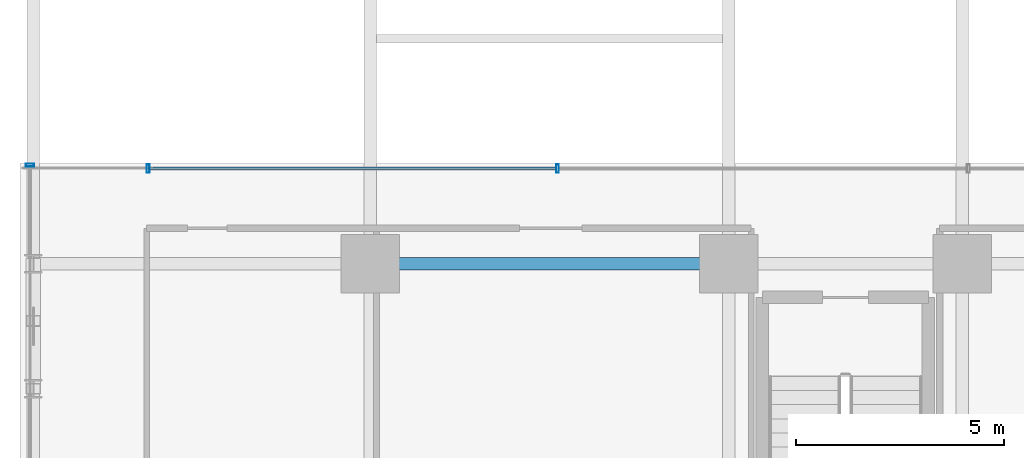
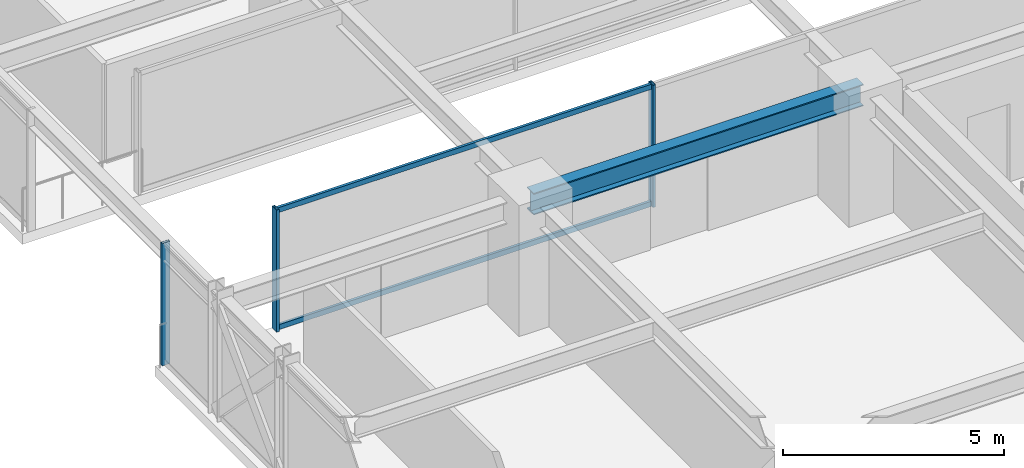
# One storey, part 9 of 47: 5 members, 1 beam, 2 elements without a shape of their own.
"""IFC4 building model written with IfcOpenShell, lengths in metres."""

from ifc_helpers import new_model, si_unit, direction, frame, origin, origin_2d, place, context, subcontext, project, spatial, hollow_rectangle, i_section, extrude, source, transform, mapped, material, material_profile, profile_set, type_object, element, aggregate, save


model = new_model("IFC4")

# Units and contexts
model_context = context("Model", 3, precision=1e-05, world=origin(), true_north=direction((0.0, 1.0)))
body_context = subcontext(model_context, "Body", "Model", "MODEL_VIEW")
ifc_project = project(units=[si_unit("LENGTHUNIT", "METRE"), si_unit("AREAUNIT", "SQUARE_METRE"), si_unit("VOLUMEUNIT", "CUBIC_METRE"), si_unit("PLANEANGLEUNIT", "RADIAN"), si_unit("MASSUNIT", "GRAM", prefix="KILO")], contexts=[model_context])

# Site, building, storey
site_placement = place(None, origin())
site = spatial("IfcSite", under=ifc_project, at=site_placement, CompositionType="ELEMENT")
building_placement = place(site_placement, origin())
building = spatial("IfcBuilding", under=site, at=building_placement, Name="Nahalor Promenade Grand Hotel", CompositionType="ELEMENT")
storey_placement = place(building_placement, frame((0.0, 0.0, 68.89990234375)))
storey = spatial("IfcBuildingStorey", under=building, at=storey_placement, Name="L16", CompositionType="ELEMENT", Elevation=68.89990234375)

# Beam
ifc_material_1 = material(Name="Steel S355JR", Category="steel")
ifc_material_profile_1 = material_profile(ifc_material_1, i_section(OverallWidth=0.3, OverallDepth=0.6, WebThickness=0.0155, FlangeThickness=0.03, at=origin_2d()), Name="HEB 600")
ifc_profile_set_1 = profile_set([ifc_material_profile_1], Name="Steel S355JR")
beam_type = type_object("IfcBeamType", Name="Beam-Girder-HEB600", PredefinedType="BEAM", material=ifc_profile_set_1)
shared_shape_1 = source(origin(), body_context, "Body", "SweptSolid", [
    extrude(i_section(OverallWidth=0.3, OverallDepth=0.6, WebThickness=0.0155, FlangeThickness=0.03, at=origin_2d()), origin(), (0.0, 0.0, 1.0), 8.60009765625),
])
beam_placement = place(storey_placement, frame((-17.0, -5.39990234375, 3.070068359375), z_axis=(1.0, 0.0, 0.0), x_axis=(0.0, 1.0, 0.0)))
element("IfcBeam", 1, at=beam_placement, inside=storey, type_object=beam_type, Name="BM-L16-GX-1-1", PredefinedType="BEAM", context=body_context, shape_type="MappedRepresentation", body=[
    mapped(shared_shape_1, transform((0.0, 0.0, 0.0), scale=1.0)),
])

# Curtain wall, members
ifc_material_2 = material(Name="Anodised Bronze Aluminium EN AW-6063 T6", Category="aluminium")
curtain_wall_type = type_object("IfcCurtainWallType", Name="CW3 Elliptical-Void Collar Unitised Curtain Wall", PredefinedType="USERDEFINED", material=ifc_material_2)
curtain_wall_1_placement = place(storey_placement, origin())
curtain_wall_1 = element("IfcCurtainWall", 2, at=curtain_wall_1_placement, inside=storey, type_object=curtain_wall_type, Name="L16 Curtain Wall CW-L16-VOID-WS1", ObjectType="UNITISED_CURTAIN_WALL", PredefinedType="USERDEFINED")
ifc_material_profile_2 = material_profile(ifc_material_2, hollow_rectangle(XDim=0.07, YDim=0.14, WallThickness=0.004, at=origin_2d()), Name="CWT 70x140x4")
ifc_profile_set_2 = profile_set([ifc_material_profile_2], Name="Anodised Bronze Aluminium EN AW-6063 T6")
member_type_1 = type_object("IfcMemberType", Name="CWT3 Void Collar Transom 70x140", PredefinedType="USERDEFINED", material=ifc_profile_set_2)
shared_shape_2 = source(origin(), body_context, "Body", "SweptSolid", [
    extrude(hollow_rectangle(XDim=0.07, YDim=0.14, WallThickness=0.004, at=origin_2d()), origin(), (0.0, 0.0, 1.0), 9.748291015625),
])
member_1_placement = place(storey_placement, frame((-22.2900390625, -3.118896484375, 0.070068359375), z_axis=(1.0, 0.0, 0.0), x_axis=(0.0, 1.0, 0.0)))
member_1 = element("IfcMember", 3, at=member_1_placement, type_object=member_type_1, Name="CW-L16-VOID-WS1 Transom 0-0", ObjectType="TRANSOM", PredefinedType="USERDEFINED", context=body_context, shape_type="MappedRepresentation", body=[
    mapped(shared_shape_2, transform((0.0, 0.0, 0.0), scale=1.0)),
])
member_2_placement = place(storey_placement, frame((-22.2900390625, -3.118896484375, 3.300048828125), z_axis=(1.0, 0.0, 0.0), x_axis=(0.0, 1.0, 0.0)))
member_2 = element("IfcMember", 4, at=member_2_placement, type_object=member_type_1, Name="CW-L16-VOID-WS1 Transom 0-1", ObjectType="TRANSOM", PredefinedType="USERDEFINED", context=body_context, shape_type="MappedRepresentation", body=[
    mapped(shared_shape_2, transform((0.0, 0.0, 0.0), scale=1.0)),
])

# Curtain wall, member
curtain_wall_2_placement = place(storey_placement, origin())
curtain_wall_2 = element("IfcCurtainWall", 5, at=curtain_wall_2_placement, inside=storey, type_object=curtain_wall_type, Name="L16 Curtain Wall CW-L16-W-1", ObjectType="UNITISED_CURTAIN_WALL", PredefinedType="USERDEFINED")
ifc_material_profile_3 = material_profile(ifc_material_2, hollow_rectangle(XDim=0.07, YDim=0.2, WallThickness=0.005, at=origin_2d()), Name="CWM 70x200x5")
ifc_profile_set_3 = profile_set([ifc_material_profile_3], Name="Anodised Bronze Aluminium EN AW-6063 T6")
member_type_2 = type_object("IfcMemberType", Name="CWM3 Void Collar Mullion 70x200", PredefinedType="MULLION", material=ifc_profile_set_3)
shared_shape_3 = source(origin(), body_context, "Body", "SweptSolid", [
    extrude(hollow_rectangle(XDim=0.07, YDim=0.2, WallThickness=0.005, at=origin_2d()), origin(), (0.0, 0.0, 1.0), 3.3701171875),
])
member_3_placement = place(storey_placement, frame((-25.159912109375, -3.033935546875, 0.0), z_axis=(0.0, 0.0, 1.0), x_axis=(0.0, 1.0, 0.0)))
member_3 = element("IfcMember", 6, at=member_3_placement, type_object=member_type_2, Name="CW-L16-W-1 Mullion 2", PredefinedType="MULLION", context=body_context, shape_type="MappedRepresentation", body=[
    mapped(shared_shape_3, transform((0.0, 0.0, 0.0), scale=1.0)),
])
aggregate(curtain_wall_2, [member_3])

# Member
member_4_placement = place(storey_placement, frame((-22.324951171875, -3.118896484375, 0.0), z_axis=(0.0, 0.0, 1.0), x_axis=(1.0, 0.0, 0.0)))
member_4 = element("IfcMember", 7, at=member_4_placement, type_object=member_type_2, Name="CW-L16-VOID-WS1 Mullion 0", PredefinedType="MULLION", context=body_context, shape_type="MappedRepresentation", body=[
    mapped(shared_shape_3, transform((0.0, 0.0, 0.0), scale=1.0)),
])

member_5_placement = place(storey_placement, frame((-12.506591796875, -3.118896484375, 0.0), z_axis=(0.0, 0.0, 1.0), x_axis=(1.0, 0.0, 0.0)))
member_5 = element("IfcMember", 8, at=member_5_placement, type_object=member_type_2, Name="CW-L16-VOID-WS1 Mullion 1", PredefinedType="MULLION", context=body_context, shape_type="MappedRepresentation", body=[
    mapped(shared_shape_3, transform((0.0, 0.0, 0.0), scale=1.0)),
])

aggregate(curtain_wall_1, [member_4, member_5, member_1, member_2])

save(model, "model.ifc")
